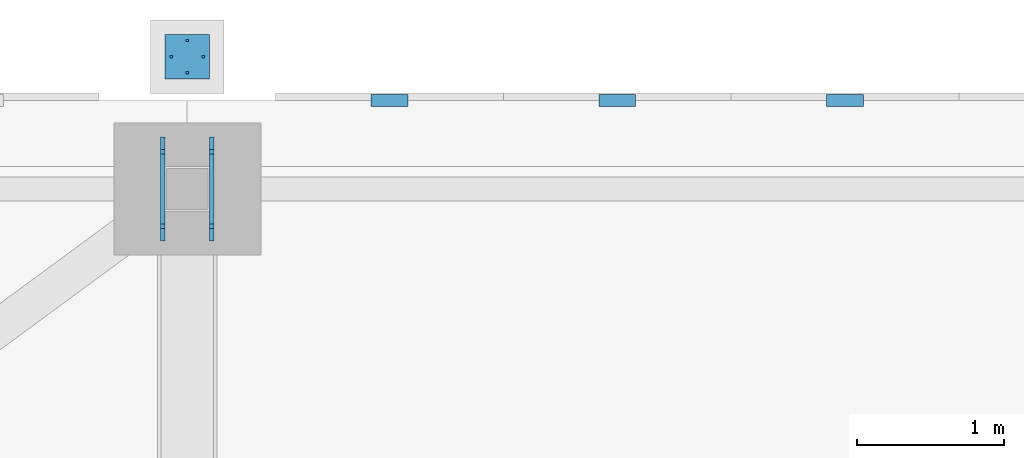
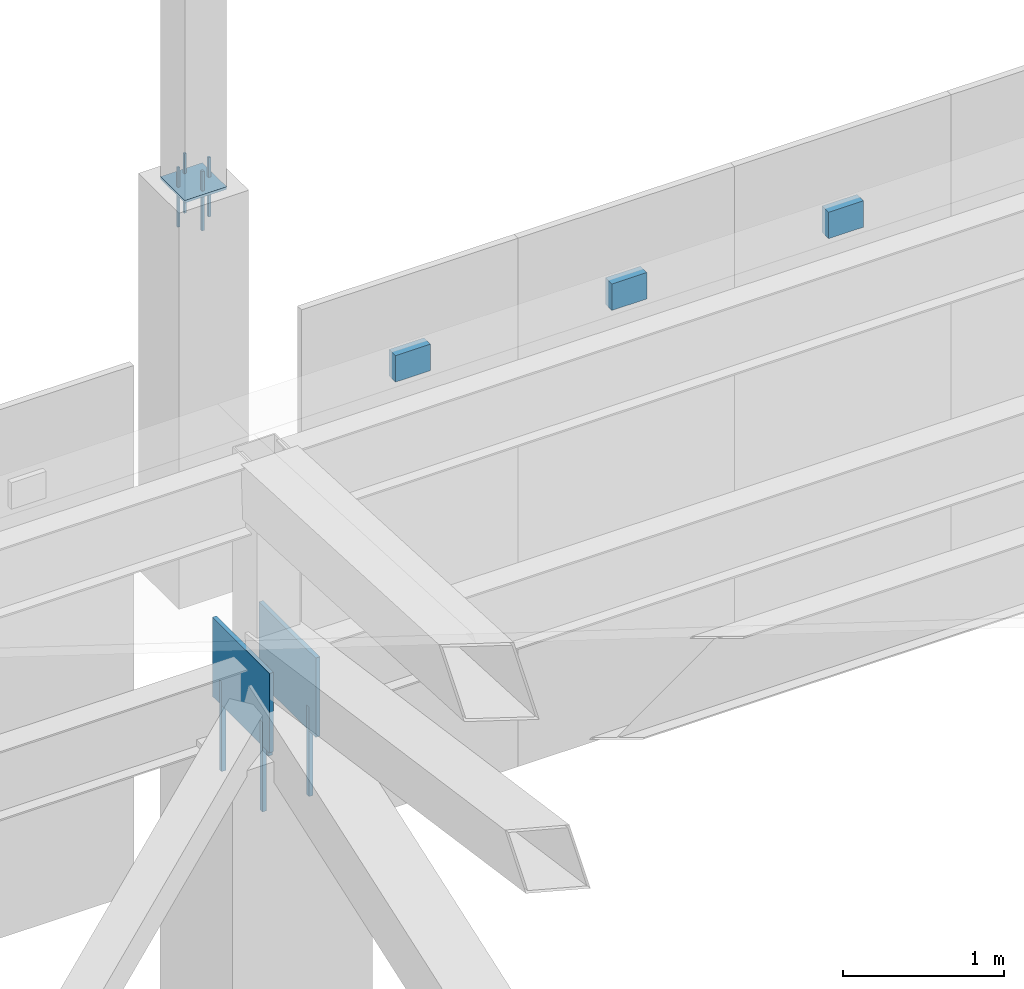
# One storey, part 234 of 278: 8 mechanical fasteners, 6 discrete accessories.
"""IFC4 building model written with IfcOpenShell, lengths in metres."""

from ifc_helpers import new_model, si_unit, direction, frame, origin, origin_2d, place, context, subcontext, project, spatial, rectangle, extrude, material, layer, layer_set, type_object, element, save


model = new_model("IFC4")

# Units and contexts
model_context = context("Model", 3, precision=1e-05, world=origin(), true_north=direction((0.0, 1.0)))
body_context = subcontext(model_context, "Body", "Model", "MODEL_VIEW")
ifc_project = project(units=[si_unit("LENGTHUNIT", "METRE"), si_unit("AREAUNIT", "SQUARE_METRE"), si_unit("VOLUMEUNIT", "CUBIC_METRE"), si_unit("PLANEANGLEUNIT", "RADIAN"), si_unit("MASSUNIT", "GRAM", prefix="KILO")], contexts=[model_context])

# Site, building, storey
site_placement = place(None, origin())
site = spatial("IfcSite", under=ifc_project, at=site_placement, CompositionType="ELEMENT")
building_placement = place(site_placement, origin())
building = spatial("IfcBuilding", under=site, at=building_placement, Name="Ogive Plaza Stadium", CompositionType="ELEMENT")
storey_placement = place(building_placement, frame((0.0, 0.0, 29.0)))
storey = spatial("IfcBuildingStorey", under=building, at=storey_placement, Name="Roof", CompositionType="ELEMENT", Elevation=29.0)

# Mechanical fasteners
ifc_material_1 = material(Name="Steel ASTM A992 Grade 50", Category="steel")
mechanical_fastener_type_1 = type_object("IfcMechanicalFastenerType", Name="Anchor bolt M30 x 600", PredefinedType="ANCHORBOLT", material=ifc_material_1)
for number, where, z_axis, x_axis, name in (
    (1, (-20.56640625, 102.75244140625, 3.0), (0.0, 0.0, 1.0), (0.0, 1.0, 0.0), "ANCHOR BOLT 33 BF 1.1"),
    (2, (-20.56640625, 102.24755859375, 3.0), (0.0, 0.0, 1.0), (0.0, 1.0, 0.0), "ANCHOR BOLT 33 BF 1.2"),
    (3, (-20.233642578125, 102.75244140625, 3.0), (0.0, 0.0, 1.0), (0.0, 1.0, 0.0), "ANCHOR BOLT 33 BF 2.1"),
    (4, (-20.233642578125, 102.24755859375, 3.0), (0.0, 0.0, 1.0), (0.0, 1.0, 0.0), "ANCHOR BOLT 33 BF 2.2"),
):
    element("IfcMechanicalFastener", number, at=place(storey_placement, frame(where, z_axis=z_axis, x_axis=x_axis)), inside=storey, type_object=mechanical_fastener_type_1, Name=name, PredefinedType="ANCHORBOLT", context=body_context, shape_type="SweptSolid", body=[
        extrude(rectangle(XDim=0.030029296875, YDim=0.030029296875, at=origin_2d()), origin(), (0.0, 0.0, 1.0), 0.679931640625),
    ])
ifc_material_2 = material(Name="Steel ASTM A992 Grade 50", Category="steel")
mechanical_fastener_type_2 = type_object("IfcMechanicalFastenerType", Name="Spire anchor bolt M16 x 450", PredefinedType="ANCHORBOLT", material=ifc_material_2)
for number, where, z_axis, x_axis, name in (
    (5, (-20.39990234375, 103.510009765625, 6.7001953125), (0.0, 0.0, 1.0), (0.0, 1.0, 0.0), "SPIRE ANCHOR BOLT 33 1"),
    (6, (-20.39990234375, 103.2900390625, 6.7001953125), (0.0, 0.0, 1.0), (0.0, 1.0, 0.0), "SPIRE ANCHOR BOLT 33 2"),
    (7, (-20.510009765625, 103.39990234375, 6.7001953125), (0.0, 0.0, 1.0), (0.0, 1.0, 0.0), "SPIRE ANCHOR BOLT 33 3"),
    (8, (-20.2900390625, 103.39990234375, 6.7001953125), (0.0, 0.0, 1.0), (0.0, 1.0, 0.0), "SPIRE ANCHOR BOLT 33 4"),
):
    element("IfcMechanicalFastener", number, at=place(storey_placement, frame(where, z_axis=z_axis, x_axis=x_axis)), inside=storey, type_object=mechanical_fastener_type_2, Name=name, PredefinedType="ANCHORBOLT", context=body_context, shape_type="SweptSolid", body=[
        extrude(rectangle(XDim=0.01611328125, YDim=0.01611328125, at=origin_2d()), origin(), (0.0, 0.0, 1.0), 0.449951171875),
    ])

# Discrete accessories
ifc_material_3 = material(Name="Steel ASTM A992 Grade 50", Category="steel")
ifc_layer_1 = layer(ifc_material_3, 0.02001953125)
ifc_layer_set_1 = layer_set([ifc_layer_1], Name="Steel ASTM A992 Grade 50")
discrete_accessory_type_1 = type_object("IfcDiscreteAccessoryType", Name="Spire seat plate 20", PredefinedType="ANCHORPLATE", material=ifc_layer_set_1)
discrete_accessory_placement = place(storey_placement, frame((-20.39990234375, 103.39990234375, 6.98095703125), z_axis=(0.0, 0.0, 1.0), x_axis=(0.0, 1.0, 0.0)))
element("IfcDiscreteAccessory", 9, at=discrete_accessory_placement, inside=storey, type_object=discrete_accessory_type_1, Name="SPIRE SEAT PLATE 33", PredefinedType="ANCHORPLATE", context=body_context, shape_type="SweptSolid", body=[
    extrude(rectangle(XDim=0.300048828125, YDim=0.300048828125, at=origin_2d()), origin(), (0.0, 0.0, 1.0), 0.02001953125),
])
ifc_material_4 = material(Name="Steel ASTM A572 Grade 50", Category="steel")
ifc_layer_2 = layer(ifc_material_4, 0.080078125)
ifc_layer_set_2 = layer_set([ifc_layer_2], Name="Steel ASTM A572 Grade 50")
discrete_accessory_type_2 = type_object("IfcDiscreteAccessoryType", Name="Tracery screen bracket 250x200", PredefinedType="BRACKET", material=ifc_layer_set_2)
for number, where, z_axis, x_axis, name in (
    (10, (-19.02490234375, 103.102294921875, 5.25), (0.0, 0.0, 1.0), (1.0, 0.0, 0.0), "TRACERY SCREEN BRACKET B33 1"),
    (11, (-17.47509765625, 103.102294921875, 5.25), (0.0, 0.0, 1.0), (1.0, 0.0, 0.0), "TRACERY SCREEN BRACKET B33 2"),
    (12, (-15.925048828125, 103.102294921875, 5.25), (0.0, 0.0, 1.0), (1.0, 0.0, 0.0), "TRACERY SCREEN BRACKET B33 3"),
):
    element("IfcDiscreteAccessory", number, at=place(storey_placement, frame(where, z_axis=z_axis, x_axis=x_axis)), inside=storey, type_object=discrete_accessory_type_2, Name=name, PredefinedType="BRACKET", context=body_context, shape_type="SweptSolid", body=[
        extrude(rectangle(XDim=0.25, YDim=0.080078125, at=origin_2d()), origin(), (0.0, 0.0, 1.0), 0.199951171875),
    ])
ifc_material_5 = material(Name="Steel ASTM A992 Grade 50", Category="steel")
ifc_layer_3 = layer(ifc_material_5, 0.030029296875)
ifc_layer_set_3 = layer_set([ifc_layer_3], Name="Steel ASTM A992 Grade 50")
discrete_accessory_type_3 = type_object("IfcDiscreteAccessoryType", Name="Truss back-stay foot cleat plate 30", PredefinedType="ANCHORPLATE", material=ifc_layer_set_3)
for number, where, z_axis, x_axis, name in (
    (13, (-20.56640625, 102.5, 3.5), (0.0, 0.0, 1.0), (0.0, 1.0, 0.0), "TRUSS BACK-STAY FOOT CLEAT PLATE 33 1"),
    (14, (-20.233642578125, 102.5, 3.5), (0.0, 0.0, 1.0), (0.0, 1.0, 0.0), "TRUSS BACK-STAY FOOT CLEAT PLATE 33 2"),
):
    element("IfcDiscreteAccessory", number, at=place(storey_placement, frame(where, z_axis=z_axis, x_axis=x_axis)), inside=storey, type_object=discrete_accessory_type_3, Name=name, PredefinedType="ANCHORPLATE", context=body_context, shape_type="SweptSolid", body=[
        extrude(rectangle(XDim=0.704833984375, YDim=0.030029296875, at=origin_2d()), origin(), (0.0, 0.0, 1.0), 0.60009765625),
    ])

save(model, "model.ifc")
